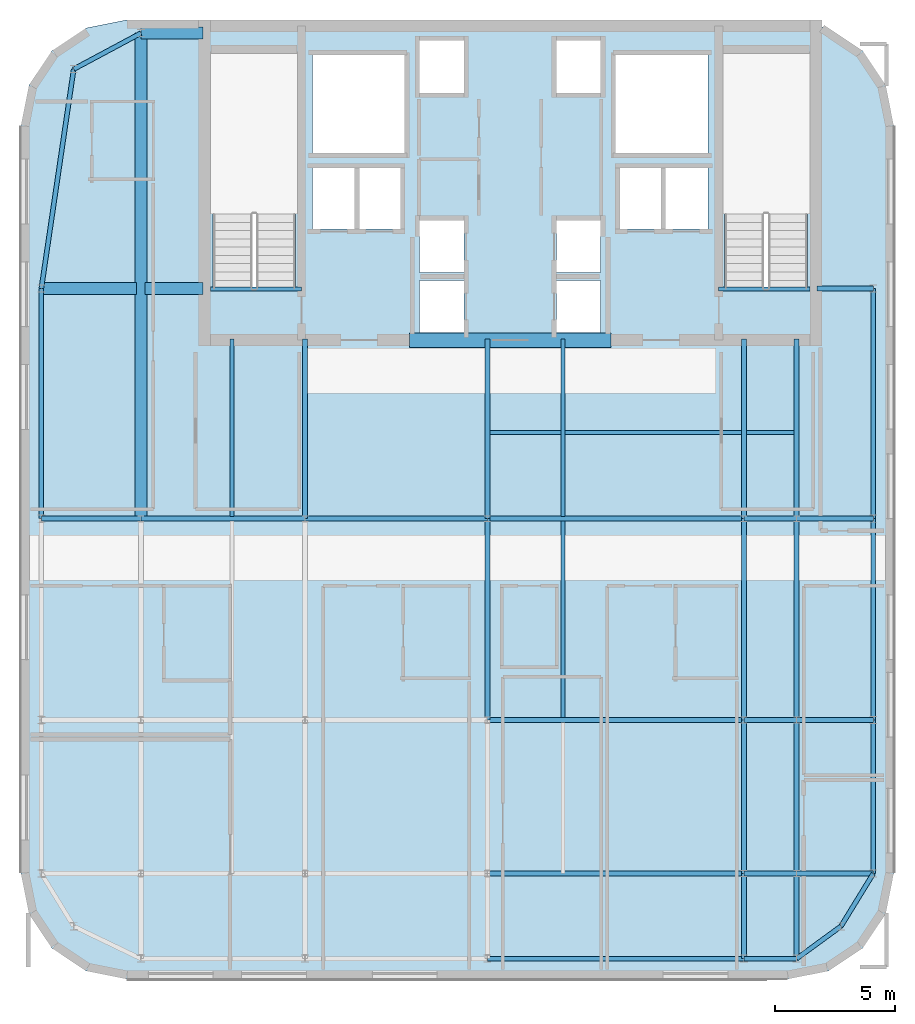
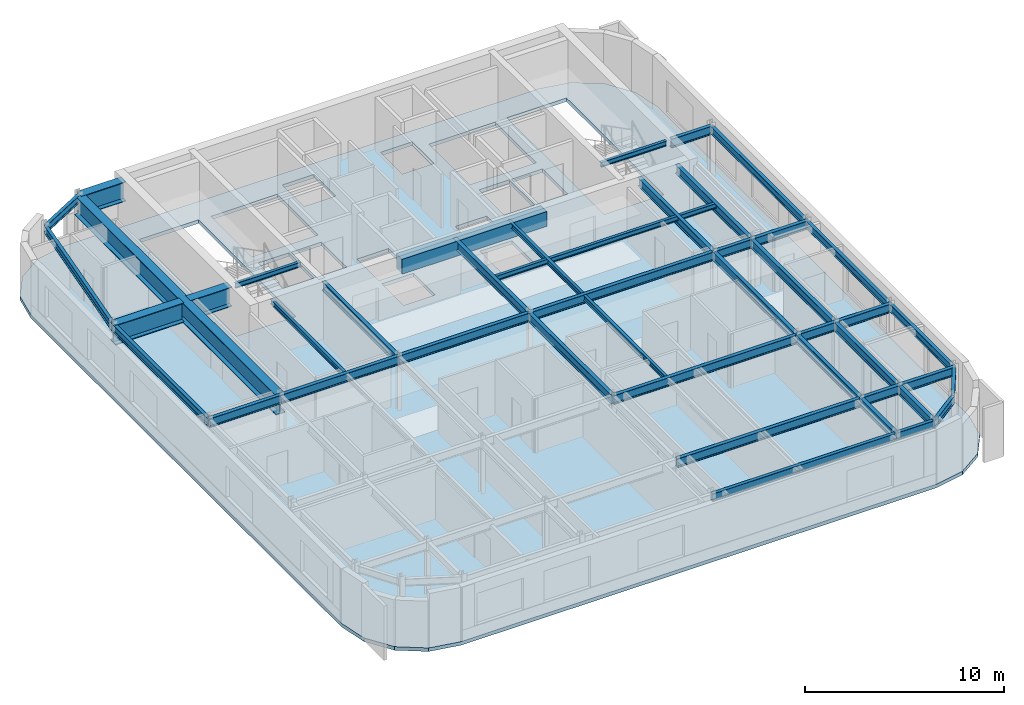
# One storey, part 5 of 15: 45 beams, 1 slab.
"""IFC4 building model written with IfcOpenShell, lengths in metres."""

from ifc_helpers import new_model, si_unit, direction, frame, origin, origin_2d, place, context, subcontext, project, spatial, polyline, rectangle, i_section, outline, extrude, source, transform, mapped, material, layer, layer_set, material_profile, profile_set, type_object, type_shapes, element, save


model = new_model("IFC4")

# Units and contexts
model_context = context("Model", 3, precision=1e-05, world=origin(), true_north=direction((0.0, 1.0)))
body_context = subcontext(model_context, "Body", "Model", "MODEL_VIEW")
ifc_project = project(units=[si_unit("LENGTHUNIT", "METRE"), si_unit("AREAUNIT", "SQUARE_METRE"), si_unit("VOLUMEUNIT", "CUBIC_METRE"), si_unit("PLANEANGLEUNIT", "RADIAN"), si_unit("MASSUNIT", "GRAM", prefix="KILO")], contexts=[model_context])

# Site, building, storey
site_placement = place(None, origin())
site = spatial("IfcSite", under=ifc_project, at=site_placement, CompositionType="ELEMENT")
building_placement = place(site_placement, origin())
building = spatial("IfcBuilding", under=site, at=building_placement, Name="Tolvann Quenvar Hotel", CompositionType="ELEMENT")
storey_placement = place(building_placement, frame((0.0, 0.0, 278.60009765625)))
storey = spatial("IfcBuildingStorey", under=building, at=storey_placement, Name="L74", CompositionType="ELEMENT", Elevation=278.60009765625)

# Beams
ifc_material_1 = material(Name="Concrete N50 (50 MPa)", Category="concrete")
ifc_material_profile_1 = material_profile(ifc_material_1, rectangle(XDim=0.60009765625, YDim=0.89990234375, at=origin_2d()), Name="RC600x900")
ifc_profile_set_1 = profile_set([ifc_material_profile_1], Name="Concrete N50 (50 MPa)")
beam_type_1 = type_object("IfcBeamType", Name="BM_LINT_RC600x900", PredefinedType="LINTEL", material=ifc_profile_set_1)
shared_shape_1 = source(origin(), body_context, "Body", "SweptSolid", [
    extrude(rectangle(XDim=0.60009765625, YDim=0.89990234375, at=origin_2d()), origin(), (0.0, 0.0, 1.0), 8.39990234375),
])
type_shapes(beam_type_1, [shared_shape_1])
beam_1_placement = place(storey_placement, frame((18.800048828125, 31.85009765625, 2.8798828125), z_axis=(1.0, 0.0, 0.0), x_axis=(0.0, 1.0, 0.0)))
element("IfcBeam", 1, at=beam_1_placement, inside=storey, type_object=beam_type_1, Name="Core Coupling Lintel Beam (L74)", PredefinedType="LINTEL", context=body_context, shape_type="MappedRepresentation", body=[
    mapped(shared_shape_1, transform((0.0, 0.0, 0.0), x_axis=(1.0, 0.0, 0.0), y_axis=(0.0, 1.0, 0.0), z_axis=(0.0, 0.0, 1.0), scale=1.0)),
])
ifc_material_2 = material(Name="Steel Grade 350", Category="steel")
ifc_material_profile_2 = material_profile(ifc_material_2, i_section(OverallWidth=0.208984375, OverallDepth=0.532958984375, WebThickness=0.01025390625, FlangeThickness=0.015625, FilletRadius=0.013916015625, at=origin_2d()), Name="530UB92")
ifc_profile_set_2 = profile_set([ifc_material_profile_2], Name="Steel Grade 350")
beam_type_2 = type_object("IfcBeamType", Name="BM_GIRD_530UB92", PredefinedType="BEAM", material=ifc_profile_set_2)
shared_shape_2 = source(origin(), body_context, "Body", "SweptSolid", [
    extrude(i_section(OverallWidth=0.208984375, OverallDepth=0.532958984375, WebThickness=0.01025390625, FlangeThickness=0.015625, FilletRadius=0.013916015625, at=origin_2d()), origin(), (0.0, 0.0, 1.0), 8.39990234375),
])
for number, where, z_axis, x_axis, name in (
    (2, (22.050048828125, 16.0, 3.0634765625), (0.0, 1.0, 0.0), (-1.0, 0.0, 0.0), "BM-L74-NS-E4-E5"),
    (3, (34.949951171875, 16.0, 3.0634765625), (0.0, 1.0, 0.0), (-1.0, 0.0, 0.0), "BM-L74-NS-F4-F5"),
    (4, (32.75, 16.0, 3.0634765625), (0.0, 1.0, 0.0), (-1.0, 0.0, 0.0), "BM-L74-NS-FP4-FP5"),
):
    element("IfcBeam", number, at=place(storey_placement, frame(where, z_axis=z_axis, x_axis=x_axis)), inside=storey, type_object=beam_type_2, Name=name, PredefinedType="BEAM", context=body_context, shape_type="MappedRepresentation", body=[
        mapped(shared_shape_2, transform((0.0, 0.0, 0.0), x_axis=(1.0, 0.0, 0.0), y_axis=(0.0, 1.0, 0.0), z_axis=(0.0, 0.0, 1.0), scale=1.0)),
    ])
ifc_material_profile_3 = material_profile(ifc_material_2, i_section(OverallWidth=0.5, OverallDepth=1.199951171875, WebThickness=0.01611328125, FlangeThickness=0.0400390625, at=origin_2d()), Name="1200WB455")
ifc_profile_set_3 = profile_set([ifc_material_profile_3], Name="Steel Grade 350")
beam_type_3 = type_object("IfcBeamType", Name="BM_TG_1200WB455", PredefinedType="USERDEFINED", material=ifc_profile_set_3)
shared_shape_3 = source(origin(), body_context, "Body", "SweptSolid", [
    extrude(i_section(OverallWidth=0.5, OverallDepth=1.199951171875, WebThickness=0.01611328125, FlangeThickness=0.0400390625, at=origin_2d()), origin(), (0.0, 0.0, 1.0), 2.419921875),
])
beam_2_placement = place(storey_placement, frame((7.780029296875, 34.0, 2.72998046875), z_axis=(1.0, 0.0, 0.0), x_axis=(0.0, 1.0, 0.0)))
element("IfcBeam", 5, at=beam_2_placement, inside=storey, type_object=beam_type_3, Name="BM-L74-CTW-MID2", ObjectType="TRANSFER GIRDER", PredefinedType="USERDEFINED", context=body_context, shape_type="MappedRepresentation", body=[
    mapped(shared_shape_3, transform((0.0, 0.0, 0.0), x_axis=(1.0, 0.0, 0.0), y_axis=(0.0, 1.0, 0.0), z_axis=(0.0, 0.0, 1.0), scale=1.0)),
])
shared_shape_4 = source(origin(), body_context, "Body", "SweptSolid", [
    extrude(i_section(OverallWidth=0.5, OverallDepth=1.199951171875, WebThickness=0.01611328125, FlangeThickness=0.0400390625, at=origin_2d()), origin(), (0.0, 0.0, 1.0), 2.599853515625),
])
beam_3_placement = place(storey_placement, frame((7.60009765625, 44.64990234375, 2.72998046875), z_axis=(1.0, 0.0, 0.0), x_axis=(0.0, 1.0, 0.0)))
element("IfcBeam", 6, at=beam_3_placement, inside=storey, type_object=beam_type_3, Name="BM-L74-CTW-CN", ObjectType="TRANSFER GIRDER", PredefinedType="USERDEFINED", context=body_context, shape_type="MappedRepresentation", body=[
    mapped(shared_shape_4, transform((0.0, 0.0, 0.0), x_axis=(1.0, 0.0, 0.0), y_axis=(0.0, 1.0, 0.0), z_axis=(0.0, 0.0, 1.0), scale=1.0)),
])
ifc_material_profile_4 = material_profile(ifc_material_2, i_section(OverallWidth=0.166015625, OverallDepth=0.306884765625, WebThickness=0.006591796875, FlangeThickness=0.01171875, FilletRadius=0.011474609375, at=origin_2d()), Name="310UB46")
ifc_profile_set_4 = profile_set([ifc_material_profile_4], Name="Steel Grade 350")
beam_type_4 = type_object("IfcBeamType", Name="BM_JOIST_310UB46", PredefinedType="JOIST", material=ifc_profile_set_4)
shared_shape_5 = source(origin(), body_context, "Body", "SweptSolid", [
    extrude(i_section(OverallWidth=0.166015625, OverallDepth=0.306884765625, WebThickness=0.006591796875, FlangeThickness=0.01171875, FilletRadius=0.011474609375, at=origin_2d()), origin(), (0.0, 0.0, 1.0), 3.800048828125),
])
for number, where, z_axis, x_axis, name in (
    (7, (10.5, 33.97998046875, 3.176513671875), (1.0, 0.0, 0.0), (0.0, 1.0, 0.0), "BM-HDR-STC1-L75"),
    (8, (31.699951171875, 33.97998046875, 3.176513671875), (1.0, 0.0, 0.0), (0.0, 1.0, 0.0), "BM-HDR-STC2-L75"),
):
    element("IfcBeam", number, at=place(storey_placement, frame(where, z_axis=z_axis, x_axis=x_axis)), inside=storey, type_object=beam_type_4, Name=name, PredefinedType="JOIST", context=body_context, shape_type="MappedRepresentation", body=[
        mapped(shared_shape_5, transform((0.0, 0.0, 0.0), x_axis=(1.0, 0.0, 0.0), y_axis=(0.0, 1.0, 0.0), z_axis=(0.0, 0.0, 1.0), scale=1.0)),
    ])
shared_shape_6 = source(origin(), body_context, "Body", "SweptSolid", [
    extrude(i_section(OverallWidth=0.5, OverallDepth=1.199951171875, WebThickness=0.01611328125, FlangeThickness=0.0400390625, at=origin_2d()), origin(), (0.0, 0.0, 1.0), 3.969970703125),
])
beam_4_placement = place(storey_placement, frame((3.449951171875, 34.0, 2.72998046875), z_axis=(1.0, 0.0, 0.0), x_axis=(0.0, 1.0, 0.0)))
element("IfcBeam", 9, at=beam_4_placement, inside=storey, type_object=beam_type_3, Name="BM-L74-CTW-MID1", ObjectType="TRANSFER GIRDER", PredefinedType="USERDEFINED", context=body_context, shape_type="MappedRepresentation", body=[
    mapped(shared_shape_6, transform((0.0, 0.0, 0.0), x_axis=(1.0, 0.0, 0.0), y_axis=(0.0, 1.0, 0.0), z_axis=(0.0, 0.0, 1.0), scale=1.0)),
])
ifc_material_profile_5 = material_profile(ifc_material_2, i_section(OverallWidth=0.19091796875, OverallDepth=0.4599609375, WebThickness=0.010009765625, FlangeThickness=0.01611328125, FilletRadius=0.011474609375, at=origin_2d()), Name="460UB82")
ifc_profile_set_5 = profile_set([ifc_material_profile_5], Name="Steel Grade 350")
beam_type_5 = type_object("IfcBeamType", Name="BM_SPAND_460UB82", PredefinedType="SPANDREL", material=ifc_profile_set_5)
shared_shape_7 = source(origin(), body_context, "Body", "SweptSolid", [
    extrude(i_section(OverallWidth=0.19091796875, OverallDepth=0.4599609375, WebThickness=0.010009765625, FlangeThickness=0.01611328125, FilletRadius=0.011474609375, at=origin_2d()), origin(), (0.0, 0.0, 1.0), 8.39990234375),
])
beam_5_placement = place(storey_placement, frame((38.14990234375, 16.0, 3.099853515625), z_axis=(0.0, 1.0, 0.0), x_axis=(-1.0, 0.0, 0.0)))
element("IfcBeam", 10, at=beam_5_placement, inside=storey, type_object=beam_type_5, Name="BM-L74-NS-G4-G5", PredefinedType="SPANDREL", context=body_context, shape_type="MappedRepresentation", body=[
    mapped(shared_shape_7, transform((0.0, 0.0, 0.0), x_axis=(1.0, 0.0, 0.0), y_axis=(0.0, 1.0, 0.0), z_axis=(0.0, 0.0, 1.0), scale=1.0)),
])
shared_shape_8 = source(origin(), body_context, "Body", "SweptSolid", [
    extrude(i_section(OverallWidth=0.19091796875, OverallDepth=0.4599609375, WebThickness=0.010009765625, FlangeThickness=0.01611328125, FilletRadius=0.011474609375, at=origin_2d()), origin(), (0.0, 0.0, 1.0), 9.60009765625),
])
for number, where, z_axis, x_axis, name in (
    (11, (3.449951171875, 24.39990234375, 3.099853515625), (0.0, 1.0, 0.0), (-1.0, 0.0, 0.0), "BM-L74-FLK-W1"),
    (12, (38.14990234375, 24.39990234375, 3.099853515625), (0.0, 1.0, 0.0), (-1.0, 0.0, 0.0), "BM-L74-FLK-G1"),
):
    element("IfcBeam", number, at=place(storey_placement, frame(where, z_axis=z_axis, x_axis=x_axis)), inside=storey, type_object=beam_type_5, Name=name, PredefinedType="SPANDREL", context=body_context, shape_type="MappedRepresentation", body=[
        mapped(shared_shape_8, transform((0.0, 0.0, 0.0), x_axis=(1.0, 0.0, 0.0), y_axis=(0.0, 1.0, 0.0), z_axis=(0.0, 0.0, 1.0), scale=1.0)),
    ])
shared_shape_9 = source(origin(), body_context, "Body", "SweptSolid", [
    extrude(i_section(OverallWidth=0.19091796875, OverallDepth=0.4599609375, WebThickness=0.010009765625, FlangeThickness=0.01611328125, FilletRadius=0.011474609375, at=origin_2d()), origin(), (0.0, 0.0, 1.0), 9.2490234375),
])
beam_6_placement = place(storey_placement, frame((3.449951171875, 34.0, 3.099853515625), z_axis=(0.145972731602, 0.989288613918, 0.0), x_axis=(-0.989288613918, 0.145972731602, 0.0)))
element("IfcBeam", 13, at=beam_6_placement, inside=storey, type_object=beam_type_5, Name="BM-L74-FLK-W2", PredefinedType="SPANDREL", context=body_context, shape_type="MappedRepresentation", body=[
    mapped(shared_shape_9, transform((0.0, 0.0, 0.0), x_axis=(1.0, 0.0, 0.0), y_axis=(0.0, 1.0, 0.0), z_axis=(0.0, 0.0, 1.0), scale=1.0)),
])
shared_shape_10 = source(origin(), body_context, "Body", "SweptSolid", [
    extrude(i_section(OverallWidth=0.19091796875, OverallDepth=0.4599609375, WebThickness=0.010009765625, FlangeThickness=0.01611328125, FilletRadius=0.011474609375, at=origin_2d()), origin(), (0.0, 0.0, 1.0), 3.176513671875),
])
beam_7_placement = place(storey_placement, frame((4.800048828125, 43.14990234375, 3.099853515625), z_axis=(0.881483397762, 0.472215014025, 0.0), x_axis=(-0.472215014025, 0.881483397762, 0.0)))
element("IfcBeam", 14, at=beam_7_placement, inside=storey, type_object=beam_type_5, Name="BM-L74-FLK-W3", PredefinedType="SPANDREL", context=body_context, shape_type="MappedRepresentation", body=[
    mapped(shared_shape_10, transform((0.0, 0.0, 0.0), x_axis=(1.0, 0.0, 0.0), y_axis=(0.0, 1.0, 0.0), z_axis=(0.0, 0.0, 1.0), scale=1.0)),
])
shared_shape_11 = source(origin(), body_context, "Body", "SweptSolid", [
    extrude(i_section(OverallWidth=0.5, OverallDepth=1.199951171875, WebThickness=0.01611328125, FlangeThickness=0.0400390625, at=origin_2d()), origin(), (0.0, 0.0, 1.0), 20.25),
])
type_shapes(beam_type_3, [shared_shape_3, shared_shape_4, shared_shape_6, shared_shape_11])
beam_8_placement = place(storey_placement, frame((7.60009765625, 24.39990234375, 2.72998046875), z_axis=(0.0, 1.0, 0.0), x_axis=(-1.0, 0.0, 0.0)))
element("IfcBeam", 15, at=beam_8_placement, inside=storey, type_object=beam_type_3, Name="BM-L74-FLK-WC", ObjectType="TRANSFER GIRDER", PredefinedType="USERDEFINED", context=body_context, shape_type="MappedRepresentation", body=[
    mapped(shared_shape_11, transform((0.0, 0.0, 0.0), x_axis=(1.0, 0.0, 0.0), y_axis=(0.0, 1.0, 0.0), z_axis=(0.0, 0.0, 1.0), scale=1.0)),
])
shared_shape_12 = source(origin(), body_context, "Body", "SweptSolid", [
    extrude(i_section(OverallWidth=0.166015625, OverallDepth=0.306884765625, WebThickness=0.006591796875, FlangeThickness=0.01171875, FilletRadius=0.011474609375, at=origin_2d()), origin(), (0.0, 0.0, 1.0), 12.89990234375),
])
beam_9_placement = place(storey_placement, frame((22.050048828125, 28.0, 3.176513671875), z_axis=(1.0, 0.0, 0.0), x_axis=(0.0, 1.0, 0.0)))
element("IfcBeam", 16, at=beam_9_placement, inside=storey, type_object=beam_type_4, Name="BM-L74-SPINE-28", PredefinedType="JOIST", context=body_context, shape_type="MappedRepresentation", body=[
    mapped(shared_shape_12, transform((0.0, 0.0, 0.0), x_axis=(1.0, 0.0, 0.0), y_axis=(0.0, 1.0, 0.0), z_axis=(0.0, 0.0, 1.0), scale=1.0)),
])
shared_shape_13 = source(origin(), body_context, "Body", "SweptSolid", [
    extrude(i_section(OverallWidth=0.19091796875, OverallDepth=0.4599609375, WebThickness=0.010009765625, FlangeThickness=0.01611328125, FilletRadius=0.011474609375, at=origin_2d()), origin(), (0.0, 0.0, 1.0), 2.199951171875),
])
beam_10_placement = place(storey_placement, frame((32.75, 6.050048828125, 3.099853515625), z_axis=(1.0, 0.0, 0.0), x_axis=(0.0, 1.0, 0.0)))
element("IfcBeam", 17, at=beam_10_placement, inside=storey, type_object=beam_type_5, Name="BM-L74-EW-2-FP2-F2", PredefinedType="SPANDREL", context=body_context, shape_type="MappedRepresentation", body=[
    mapped(shared_shape_13, transform((0.0, 0.0, 0.0), x_axis=(1.0, 0.0, 0.0), y_axis=(0.0, 1.0, 0.0), z_axis=(0.0, 0.0, 1.0), scale=1.0)),
])
shared_shape_14 = source(origin(), body_context, "Body", "SweptSolid", [
    extrude(i_section(OverallWidth=0.19091796875, OverallDepth=0.4599609375, WebThickness=0.010009765625, FlangeThickness=0.01611328125, FilletRadius=0.011474609375, at=origin_2d()), origin(), (0.0, 0.0, 1.0), 2.290283203125),
])
beam_11_placement = place(storey_placement, frame((34.949951171875, 6.050048828125, 3.099853515625), z_axis=(0.80783621865, 0.589407027305, 0.0), x_axis=(-0.589407027305, 0.80783621865, 0.0)))
element("IfcBeam", 18, at=beam_11_placement, inside=storey, type_object=beam_type_5, Name="BM-L74-EW-2-F2-G2", PredefinedType="SPANDREL", context=body_context, shape_type="MappedRepresentation", body=[
    mapped(shared_shape_14, transform((0.0, 0.0, 0.0), x_axis=(1.0, 0.0, 0.0), y_axis=(0.0, 1.0, 0.0), z_axis=(0.0, 0.0, 1.0), scale=1.0)),
])
shared_shape_15 = source(origin(), body_context, "Body", "SweptSolid", [
    extrude(i_section(OverallWidth=0.208984375, OverallDepth=0.532958984375, WebThickness=0.01025390625, FlangeThickness=0.015625, FilletRadius=0.013916015625, at=origin_2d()), origin(), (0.0, 0.0, 1.0), 4.150146484375),
])
beam_12_placement = place(storey_placement, frame((3.449951171875, 24.39990234375, 3.0634765625), z_axis=(1.0, 0.0, 0.0), x_axis=(0.0, 1.0, 0.0)))
element("IfcBeam", 19, at=beam_12_placement, inside=storey, type_object=beam_type_2, Name="BM-L74-EW-5-B5-C5", PredefinedType="BEAM", context=body_context, shape_type="MappedRepresentation", body=[
    mapped(shared_shape_15, transform((0.0, 0.0, 0.0), x_axis=(1.0, 0.0, 0.0), y_axis=(0.0, 1.0, 0.0), z_axis=(0.0, 0.0, 1.0), scale=1.0)),
])
shared_shape_16 = source(origin(), body_context, "Body", "SweptSolid", [
    extrude(i_section(OverallWidth=0.208984375, OverallDepth=0.532958984375, WebThickness=0.01025390625, FlangeThickness=0.015625, FilletRadius=0.013916015625, at=origin_2d()), origin(), (0.0, 0.0, 1.0), 6.849853515625),
])
beam_13_placement = place(storey_placement, frame((7.60009765625, 24.39990234375, 3.0634765625), z_axis=(1.0, 0.0, 0.0), x_axis=(0.0, 1.0, 0.0)))
element("IfcBeam", 20, at=beam_13_placement, inside=storey, type_object=beam_type_2, Name="BM-L74-EW-5-C5-D5", PredefinedType="BEAM", context=body_context, shape_type="MappedRepresentation", body=[
    mapped(shared_shape_16, transform((0.0, 0.0, 0.0), x_axis=(1.0, 0.0, 0.0), y_axis=(0.0, 1.0, 0.0), z_axis=(0.0, 0.0, 1.0), scale=1.0)),
])
shared_shape_17 = source(origin(), body_context, "Body", "SweptSolid", [
    extrude(i_section(OverallWidth=0.208984375, OverallDepth=0.532958984375, WebThickness=0.01025390625, FlangeThickness=0.015625, FilletRadius=0.013916015625, at=origin_2d()), origin(), (0.0, 0.0, 1.0), 2.199951171875),
])
for number, where, z_axis, x_axis, name in (
    (21, (32.75, 9.60009765625, 3.0634765625), (1.0, 0.0, 0.0), (0.0, 1.0, 0.0), "BM-L74-EW-3-FP3-F3"),
    (22, (32.75, 16.0, 3.0634765625), (1.0, 0.0, 0.0), (0.0, 1.0, 0.0), "BM-L74-EW-4-FP4-F4"),
    (23, (32.75, 24.39990234375, 3.0634765625), (1.0, 0.0, 0.0), (0.0, 1.0, 0.0), "BM-L74-EW-5-FP5-F5"),
):
    element("IfcBeam", number, at=place(storey_placement, frame(where, z_axis=z_axis, x_axis=x_axis)), inside=storey, type_object=beam_type_2, Name=name, PredefinedType="BEAM", context=body_context, shape_type="MappedRepresentation", body=[
        mapped(shared_shape_17, transform((0.0, 0.0, 0.0), x_axis=(1.0, 0.0, 0.0), y_axis=(0.0, 1.0, 0.0), z_axis=(0.0, 0.0, 1.0), scale=1.0)),
    ])
shared_shape_18 = source(origin(), body_context, "Body", "SweptSolid", [
    extrude(i_section(OverallWidth=0.208984375, OverallDepth=0.532958984375, WebThickness=0.01025390625, FlangeThickness=0.015625, FilletRadius=0.013916015625, at=origin_2d()), origin(), (0.0, 0.0, 1.0), 3.199951171875),
])
for number, where, z_axis, x_axis, name in (
    (24, (34.949951171875, 9.60009765625, 3.0634765625), (1.0, 0.0, 0.0), (0.0, 1.0, 0.0), "BM-L74-EW-3-F3-G3"),
    (25, (34.949951171875, 16.0, 3.0634765625), (1.0, 0.0, 0.0), (0.0, 1.0, 0.0), "BM-L74-EW-4-F4-G4"),
    (26, (34.949951171875, 24.39990234375, 3.0634765625), (1.0, 0.0, 0.0), (0.0, 1.0, 0.0), "BM-L74-EW-5-F5-G5"),
):
    element("IfcBeam", number, at=place(storey_placement, frame(where, z_axis=z_axis, x_axis=x_axis)), inside=storey, type_object=beam_type_2, Name=name, PredefinedType="BEAM", context=body_context, shape_type="MappedRepresentation", body=[
        mapped(shared_shape_18, transform((0.0, 0.0, 0.0), x_axis=(1.0, 0.0, 0.0), y_axis=(0.0, 1.0, 0.0), z_axis=(0.0, 0.0, 1.0), scale=1.0)),
    ])
shared_shape_19 = source(origin(), body_context, "Body", "SweptSolid", [
    extrude(i_section(OverallWidth=0.208984375, OverallDepth=0.532958984375, WebThickness=0.01025390625, FlangeThickness=0.015625, FilletRadius=0.013916015625, at=origin_2d()), origin(), (0.0, 0.0, 1.0), 7.60009765625),
])
beam_14_placement = place(storey_placement, frame((14.449951171875, 24.39990234375, 3.0634765625), z_axis=(1.0, 0.0, 0.0), x_axis=(0.0, 1.0, 0.0)))
element("IfcBeam", 27, at=beam_14_placement, inside=storey, type_object=beam_type_2, Name="BM-L74-EW-5-D5-E5", PredefinedType="BEAM", context=body_context, shape_type="MappedRepresentation", body=[
    mapped(shared_shape_19, transform((0.0, 0.0, 0.0), x_axis=(1.0, 0.0, 0.0), y_axis=(0.0, 1.0, 0.0), z_axis=(0.0, 0.0, 1.0), scale=1.0)),
])
shared_shape_20 = source(origin(), body_context, "Body", "SweptSolid", [
    extrude(i_section(OverallWidth=0.208984375, OverallDepth=0.532958984375, WebThickness=0.01025390625, FlangeThickness=0.015625, FilletRadius=0.013916015625, at=origin_2d()), origin(), (0.0, 0.0, 1.0), 7.5),
])
for number, where, z_axis, x_axis, name in (
    (28, (14.449951171875, 24.39990234375, 3.0634765625), (0.0, 1.0, 0.0), (-1.0, 0.0, 0.0), "BM-L74-CORE-D5"),
    (29, (22.050048828125, 24.39990234375, 3.0634765625), (0.0, 1.0, 0.0), (-1.0, 0.0, 0.0), "BM-L74-CORE-E5"),
    (30, (34.949951171875, 24.39990234375, 3.0634765625), (0.0, 1.0, 0.0), (-1.0, 0.0, 0.0), "BM-L74-CORE-F5"),
    (31, (32.75, 24.39990234375, 3.0634765625), (0.0, 1.0, 0.0), (-1.0, 0.0, 0.0), "BM-L74-CORE-FP5"),
):
    element("IfcBeam", number, at=place(storey_placement, frame(where, z_axis=z_axis, x_axis=x_axis)), inside=storey, type_object=beam_type_2, Name=name, PredefinedType="BEAM", context=body_context, shape_type="MappedRepresentation", body=[
        mapped(shared_shape_20, transform((0.0, 0.0, 0.0), x_axis=(1.0, 0.0, 0.0), y_axis=(0.0, 1.0, 0.0), z_axis=(0.0, 0.0, 1.0), scale=1.0)),
    ])
shared_shape_21 = source(origin(), body_context, "Body", "SweptSolid", [
    extrude(i_section(OverallWidth=0.208984375, OverallDepth=0.532958984375, WebThickness=0.01025390625, FlangeThickness=0.015625, FilletRadius=0.013916015625, at=origin_2d()), origin(), (0.0, 0.0, 1.0), 2.349853515625),
])
beam_15_placement = place(storey_placement, frame((35.800048828125, 34.0, 3.0634765625), z_axis=(1.0, 0.0, 0.0), x_axis=(0.0, 1.0, 0.0)))
element("IfcBeam", 32, at=beam_15_placement, inside=storey, type_object=beam_type_2, Name="BM-L74-CTE-GD6", PredefinedType="BEAM", context=body_context, shape_type="MappedRepresentation", body=[
    mapped(shared_shape_21, transform((0.0, 0.0, 0.0), x_axis=(1.0, 0.0, 0.0), y_axis=(0.0, 1.0, 0.0), z_axis=(0.0, 0.0, 1.0), scale=1.0)),
])
shared_shape_22 = source(origin(), body_context, "Body", "SweptSolid", [
    extrude(i_section(OverallWidth=0.166015625, OverallDepth=0.306884765625, WebThickness=0.006591796875, FlangeThickness=0.01171875, FilletRadius=0.011474609375, at=origin_2d()), origin(), (0.0, 0.0, 1.0), 8.203125),
])
beam_16_placement = place(storey_placement, frame((25.199951171875, 16.098388671875, 3.176513671875), z_axis=(0.0, 1.0, 0.0), x_axis=(-1.0, 0.0, 0.0)))
element("IfcBeam", 33, at=beam_16_placement, inside=storey, type_object=beam_type_4, Name="BJ-L74-252-160", PredefinedType="JOIST", context=body_context, shape_type="MappedRepresentation", body=[
    mapped(shared_shape_22, transform((0.0, 0.0, 0.0), x_axis=(1.0, 0.0, 0.0), y_axis=(0.0, 1.0, 0.0), z_axis=(0.0, 0.0, 1.0), scale=1.0)),
])
shared_shape_23 = source(origin(), body_context, "Body", "SweptSolid", [
    extrude(i_section(OverallWidth=0.166015625, OverallDepth=0.306884765625, WebThickness=0.006591796875, FlangeThickness=0.01171875, FilletRadius=0.011474609375, at=origin_2d()), origin(), (0.0, 0.0, 1.0), 7.4013671875),
])
type_shapes(beam_type_4, [shared_shape_5, shared_shape_12, shared_shape_22, shared_shape_23])
for number, where, z_axis, x_axis, name in (
    (34, (11.39990234375, 24.49853515625, 3.176513671875), (0.0, 1.0, 0.0), (-1.0, 0.0, 0.0), "BJ-L74-114-244"),
    (35, (25.199951171875, 24.49853515625, 3.176513671875), (0.0, 1.0, 0.0), (-1.0, 0.0, 0.0), "BJ-L74-252-244"),
):
    element("IfcBeam", number, at=place(storey_placement, frame(where, z_axis=z_axis, x_axis=x_axis)), inside=storey, type_object=beam_type_4, Name=name, PredefinedType="JOIST", context=body_context, shape_type="MappedRepresentation", body=[
        mapped(shared_shape_23, transform((0.0, 0.0, 0.0), x_axis=(1.0, 0.0, 0.0), y_axis=(0.0, 1.0, 0.0), z_axis=(0.0, 0.0, 1.0), scale=1.0)),
    ])
shared_shape_24 = source(origin(), body_context, "Body", "SweptSolid", [
    extrude(i_section(OverallWidth=0.19091796875, OverallDepth=0.4599609375, WebThickness=0.010009765625, FlangeThickness=0.01611328125, FilletRadius=0.011474609375, at=origin_2d()), origin(), (0.0, 0.0, 1.0), 10.699951171875),
])
beam_17_placement = place(storey_placement, frame((22.050048828125, 6.050048828125, 3.099853515625), z_axis=(1.0, 0.0, 0.0), x_axis=(0.0, 1.0, 0.0)))
element("IfcBeam", 36, at=beam_17_placement, inside=storey, type_object=beam_type_5, Name="BM-L74-EW-2-E2-FP2", PredefinedType="SPANDREL", context=body_context, shape_type="MappedRepresentation", body=[
    mapped(shared_shape_24, transform((0.0, 0.0, 0.0), x_axis=(1.0, 0.0, 0.0), y_axis=(0.0, 1.0, 0.0), z_axis=(0.0, 0.0, 1.0), scale=1.0)),
])
shared_shape_25 = source(origin(), body_context, "Body", "SweptSolid", [
    extrude(i_section(OverallWidth=0.208984375, OverallDepth=0.532958984375, WebThickness=0.01025390625, FlangeThickness=0.015625, FilletRadius=0.013916015625, at=origin_2d()), origin(), (0.0, 0.0, 1.0), 10.699951171875),
])
for number, where, z_axis, x_axis, name in (
    (37, (22.050048828125, 9.60009765625, 3.0634765625), (1.0, 0.0, 0.0), (0.0, 1.0, 0.0), "BM-L74-EW-3-E3-FP3"),
    (38, (22.050048828125, 16.0, 3.0634765625), (1.0, 0.0, 0.0), (0.0, 1.0, 0.0), "BM-L74-EW-4-E4-FP4"),
    (39, (22.050048828125, 24.39990234375, 3.0634765625), (1.0, 0.0, 0.0), (0.0, 1.0, 0.0), "BM-L74-EW-5-E5-FP5"),
):
    element("IfcBeam", number, at=place(storey_placement, frame(where, z_axis=z_axis, x_axis=x_axis)), inside=storey, type_object=beam_type_2, Name=name, PredefinedType="BEAM", context=body_context, shape_type="MappedRepresentation", body=[
        mapped(shared_shape_25, transform((0.0, 0.0, 0.0), x_axis=(1.0, 0.0, 0.0), y_axis=(0.0, 1.0, 0.0), z_axis=(0.0, 0.0, 1.0), scale=1.0)),
    ])
shared_shape_26 = source(origin(), body_context, "Body", "SweptSolid", [
    extrude(i_section(OverallWidth=0.19091796875, OverallDepth=0.4599609375, WebThickness=0.010009765625, FlangeThickness=0.01611328125, FilletRadius=0.011474609375, at=origin_2d()), origin(), (0.0, 0.0, 1.0), 2.581298828125),
])
beam_18_placement = place(storey_placement, frame((36.800048828125, 7.39990234375, 3.099853515625), z_axis=(0.522941262414, 0.852368720722, 0.0), x_axis=(-0.852368720722, 0.522941262414, 0.0)))
element("IfcBeam", 40, at=beam_18_placement, inside=storey, type_object=beam_type_5, Name="BM-L74-NS-G2-G3", PredefinedType="SPANDREL", context=body_context, shape_type="MappedRepresentation", body=[
    mapped(shared_shape_26, transform((0.0, 0.0, 0.0), x_axis=(1.0, 0.0, 0.0), y_axis=(0.0, 1.0, 0.0), z_axis=(0.0, 0.0, 1.0), scale=1.0)),
])
shared_shape_27 = source(origin(), body_context, "Body", "SweptSolid", [
    extrude(i_section(OverallWidth=0.19091796875, OverallDepth=0.4599609375, WebThickness=0.010009765625, FlangeThickness=0.01611328125, FilletRadius=0.011474609375, at=origin_2d()), origin(), (0.0, 0.0, 1.0), 6.39990234375),
])
type_shapes(beam_type_5, [shared_shape_7, shared_shape_8, shared_shape_9, shared_shape_10, shared_shape_13, shared_shape_14, shared_shape_24, shared_shape_26, shared_shape_27])
beam_19_placement = place(storey_placement, frame((38.14990234375, 9.60009765625, 3.099853515625), z_axis=(0.0, 1.0, 0.0), x_axis=(-1.0, 0.0, 0.0)))
element("IfcBeam", 41, at=beam_19_placement, inside=storey, type_object=beam_type_5, Name="BM-L74-NS-G3-G4", PredefinedType="SPANDREL", context=body_context, shape_type="MappedRepresentation", body=[
    mapped(shared_shape_27, transform((0.0, 0.0, 0.0), x_axis=(1.0, 0.0, 0.0), y_axis=(0.0, 1.0, 0.0), z_axis=(0.0, 0.0, 1.0), scale=1.0)),
])
shared_shape_28 = source(origin(), body_context, "Body", "SweptSolid", [
    extrude(i_section(OverallWidth=0.208984375, OverallDepth=0.532958984375, WebThickness=0.01025390625, FlangeThickness=0.015625, FilletRadius=0.013916015625, at=origin_2d()), origin(), (0.0, 0.0, 1.0), 3.550048828125),
])
for number, where, z_axis, x_axis, name in (
    (42, (34.949951171875, 6.050048828125, 3.0634765625), (0.0, 1.0, 0.0), (-1.0, 0.0, 0.0), "BM-L74-NS-F2-F3"),
    (43, (32.75, 6.050048828125, 3.0634765625), (0.0, 1.0, 0.0), (-1.0, 0.0, 0.0), "BM-L74-NS-FP2-FP3"),
):
    element("IfcBeam", number, at=place(storey_placement, frame(where, z_axis=z_axis, x_axis=x_axis)), inside=storey, type_object=beam_type_2, Name=name, PredefinedType="BEAM", context=body_context, shape_type="MappedRepresentation", body=[
        mapped(shared_shape_28, transform((0.0, 0.0, 0.0), x_axis=(1.0, 0.0, 0.0), y_axis=(0.0, 1.0, 0.0), z_axis=(0.0, 0.0, 1.0), scale=1.0)),
    ])
shared_shape_29 = source(origin(), body_context, "Body", "SweptSolid", [
    extrude(i_section(OverallWidth=0.208984375, OverallDepth=0.532958984375, WebThickness=0.01025390625, FlangeThickness=0.015625, FilletRadius=0.013916015625, at=origin_2d()), origin(), (0.0, 0.0, 1.0), 6.39990234375),
])
type_shapes(beam_type_2, [shared_shape_2, shared_shape_15, shared_shape_16, shared_shape_17, shared_shape_18, shared_shape_19, shared_shape_20, shared_shape_21, shared_shape_25, shared_shape_28, shared_shape_29])
for number, where, z_axis, x_axis, name in (
    (44, (34.949951171875, 9.60009765625, 3.0634765625), (0.0, 1.0, 0.0), (-1.0, 0.0, 0.0), "BM-L74-NS-F3-F4"),
    (45, (32.75, 9.60009765625, 3.0634765625), (0.0, 1.0, 0.0), (-1.0, 0.0, 0.0), "BM-L74-NS-FP3-FP4"),
):
    element("IfcBeam", number, at=place(storey_placement, frame(where, z_axis=z_axis, x_axis=x_axis)), inside=storey, type_object=beam_type_2, Name=name, PredefinedType="BEAM", context=body_context, shape_type="MappedRepresentation", body=[
        mapped(shared_shape_29, transform((0.0, 0.0, 0.0), x_axis=(1.0, 0.0, 0.0), y_axis=(0.0, 1.0, 0.0), z_axis=(0.0, 0.0, 1.0), scale=1.0)),
    ])

# Slab
ifc_layer = layer(ifc_material_1, 0.219970703125)
ifc_layer_set = layer_set([ifc_layer], Name="Concrete N50 (50 MPa)")
slab_type = type_object("IfcSlabType", Name="SLAB_UPR_220", PredefinedType="FLOOR", material=ifc_layer_set)
slab_placement = place(storey_placement, frame((0.0, 0.0, -0.22021484375)))
element("IfcSlab", 46, at=slab_placement, inside=storey, type_object=slab_type, Name="Level L74 Structural Floor Slab", PredefinedType="FLOOR", context=body_context, shape_type="SweptSolid", body=[
    extrude(outline(polyline([(2.60009765625, 9.60009765625), (2.934814453125, 7.916259765625), (3.888671875, 6.48876953125), (5.316162109375, 5.534912109375), (7.0, 5.199951171875), (34.60009765625, 5.199951171875), (36.28369140625, 5.534912109375), (37.711181640625, 6.48876953125), (38.6650390625, 7.916259765625), (39.0, 9.60009765625), (39.0, 40.800048828125), (38.6650390625, 42.48388671875), (37.711181640625, 43.911376953125), (36.28369140625, 44.864990234375), (34.60009765625, 45.199951171875), (7.0, 45.199951171875), (5.316162109375, 44.864990234375), (3.888671875, 43.911376953125), (2.934814453125, 42.48388671875), (2.60009765625, 40.800048828125), (2.60009765625, 9.60009765625)]), holes=[polyline([(31.949951171875, 34.02490234375), (31.949951171875, 43.800048828125), (35.39990234375, 43.800048828125), (35.39990234375, 34.02490234375), (31.949951171875, 34.02490234375)]), polyline([(27.39990234375, 43.75), (31.25, 43.75), (31.25, 39.64990234375), (27.39990234375, 39.64990234375), (27.39990234375, 43.75)]), polyline([(29.449951171875, 39.02001953125), (31.25, 39.02001953125), (31.25, 36.47998046875), (29.449951171875, 36.47998046875), (29.449951171875, 39.02001953125)]), polyline([(27.574951171875, 39.02001953125), (29.324951171875, 39.02001953125), (29.324951171875, 36.47998046875), (27.574951171875, 36.47998046875), (27.574951171875, 39.02001953125)]), polyline([(24.929931640625, 36.840087890625), (26.77001953125, 36.840087890625), (26.77001953125, 34.659912109375), (24.929931640625, 34.659912109375), (24.929931640625, 36.840087890625)]), polyline([(24.929931640625, 44.340087890625), (26.77001953125, 44.340087890625), (26.77001953125, 42.159912109375), (24.929931640625, 42.159912109375), (24.929931640625, 44.340087890625)]), polyline([(24.929931640625, 32.159912109375), (24.929931640625, 34.340087890625), (26.77001953125, 34.340087890625), (26.77001953125, 32.159912109375), (24.929931640625, 32.159912109375)]), polyline([(19.22998046875, 36.840087890625), (21.070068359375, 36.840087890625), (21.070068359375, 34.659912109375), (19.22998046875, 34.659912109375), (19.22998046875, 36.840087890625)]), polyline([(19.22998046875, 44.340087890625), (21.070068359375, 44.340087890625), (21.070068359375, 42.159912109375), (19.22998046875, 42.159912109375), (19.22998046875, 44.340087890625)]), polyline([(19.22998046875, 32.159912109375), (19.22998046875, 34.340087890625), (21.070068359375, 34.340087890625), (21.070068359375, 32.159912109375), (19.22998046875, 32.159912109375)]), polyline([(14.75, 43.75), (18.60009765625, 43.75), (18.60009765625, 39.64990234375), (14.75, 39.64990234375), (14.75, 43.75)]), polyline([(16.675048828125, 39.02001953125), (18.425048828125, 39.02001953125), (18.425048828125, 36.47998046875), (16.675048828125, 36.47998046875), (16.675048828125, 39.02001953125)]), polyline([(14.75, 39.02001953125), (16.550048828125, 39.02001953125), (16.550048828125, 36.47998046875), (14.75, 36.47998046875), (14.75, 39.02001953125)]), polyline([(10.60009765625, 34.02490234375), (10.60009765625, 43.800048828125), (14.050048828125, 43.800048828125), (14.050048828125, 34.02490234375), (10.60009765625, 34.02490234375)])]), origin(), (0.0, 0.0, 1.0), 0.22021484375),
])

save(model, "model.ifc")
